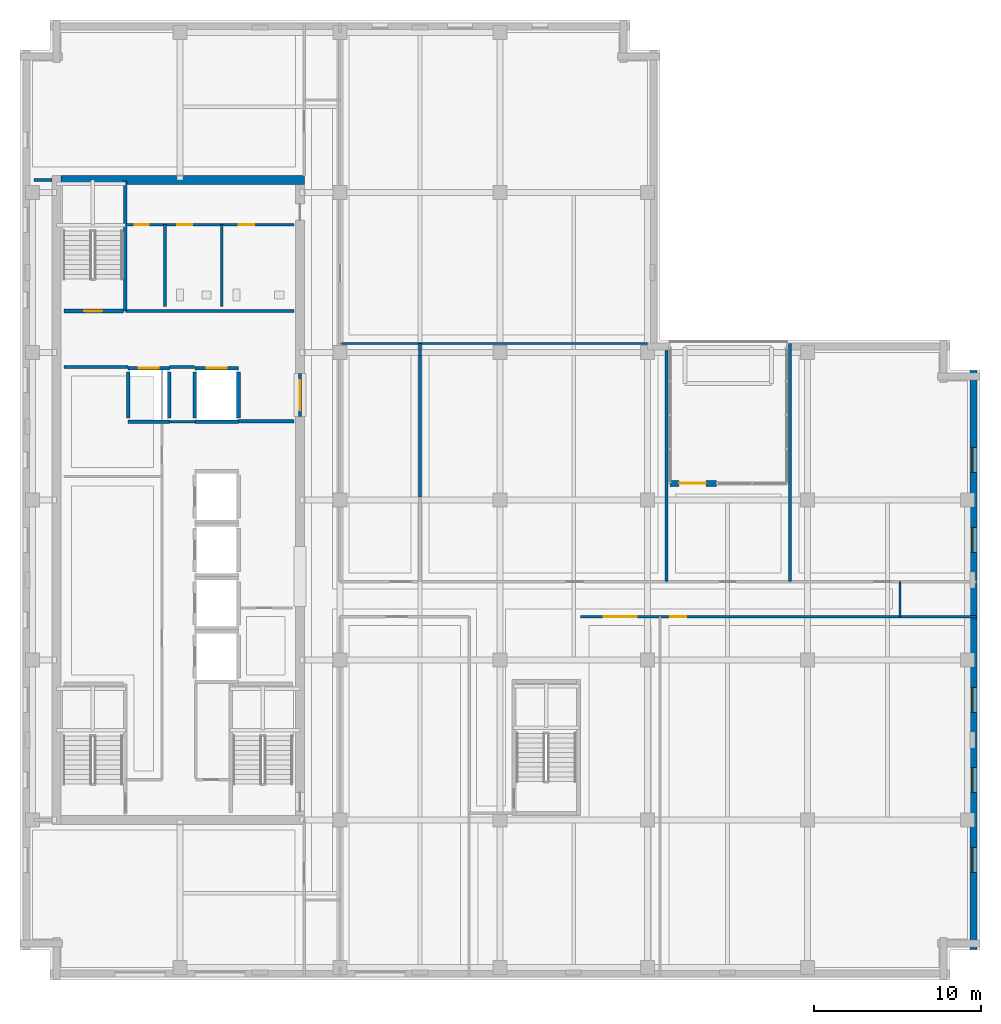
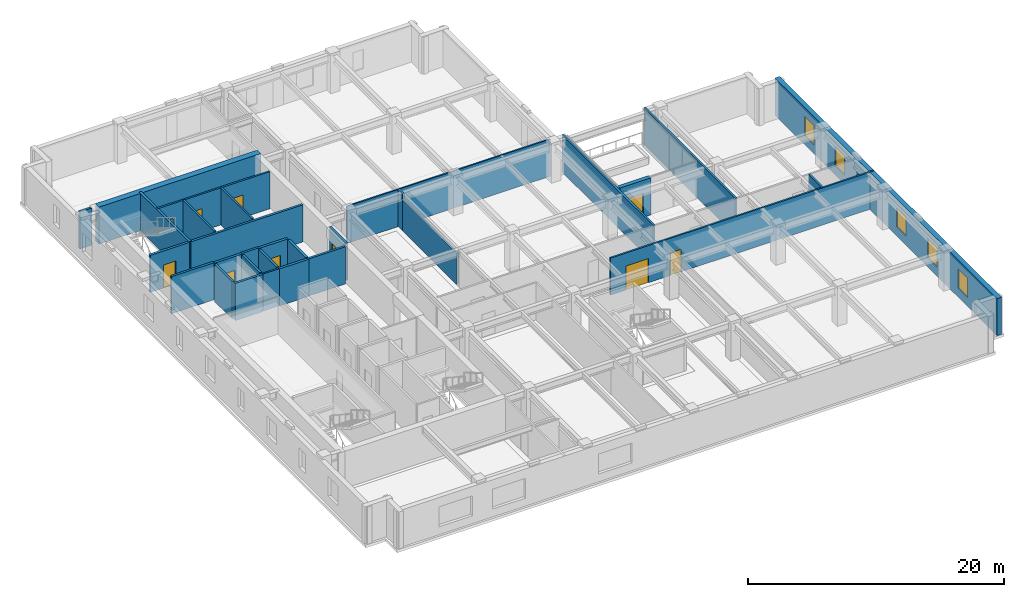
# One storey, part 5 of 14: 30 walls, 10 doors, 5 windows, 15 openings.
"""IFC4 building model written with IfcOpenShell, lengths in metres."""

from ifc_helpers import new_model, si_unit, direction, frame, frame_2d, origin, place, context, subcontext, project, spatial, rectangle, extrude, material, layer, layer_set, type_object, element, fill, save


model = new_model("IFC4")

# Units and contexts
model_context = context("Model", 3, precision=1e-05, world=origin(), true_north=direction((0.0, 1.0)))
body_context = subcontext(model_context, "Body", "Model", "MODEL_VIEW")
ifc_project = project(units=[si_unit("LENGTHUNIT", "METRE"), si_unit("AREAUNIT", "SQUARE_METRE"), si_unit("VOLUMEUNIT", "CUBIC_METRE"), si_unit("PLANEANGLEUNIT", "RADIAN"), si_unit("MASSUNIT", "GRAM", prefix="KILO")], contexts=[model_context])

# Site, building, storey
site_placement = place(None, origin())
site = spatial("IfcSite", under=ifc_project, at=site_placement, CompositionType="ELEMENT")
building_placement = place(site_placement, origin())
building = spatial("IfcBuilding", under=site, at=building_placement, Name="Norrvale University Quadrangle", CompositionType="ELEMENT")
storey_placement = place(building_placement, frame((0.0, 0.0, 221.800048828125)))
storey = spatial("IfcBuildingStorey", under=building, at=storey_placement, Name="L56", CompositionType="ELEMENT", Elevation=221.800048828125)

# Wall, openings, windows
ifc_material_1 = material(Name="Buff Norman Clay Brick Masonry", Category="masonry")
ifc_layer_1 = layer(ifc_material_1, 0.419921875, Name="Buff Norman Clay Brick Masonry")
ifc_layer_set_1 = layer_set([ifc_layer_1], Name="Buff Norman Clay Brick Masonry")
wall_type_1 = type_object("IfcWallType", Name="Wall Buff Brick 420", PredefinedType="SOLIDWALL", material=ifc_layer_set_1)
wall_1_placement = place(storey_placement, frame((57.2099609375, 1.840087890625, 0.0), z_axis=(0.0, 0.0, 1.0), x_axis=(0.0, 1.0, 0.0)))
wall_1 = element("IfcWall", 1, at=wall_1_placement, inside=storey, type_object=wall_type_1, Name="Exterior Brick Facade Wall L56-04.1", PredefinedType="SOLIDWALL", context=body_context, shape_type="SweptSolid", body=[
    extrude(rectangle(XDim=34.719970703125, YDim=0.419921875, at=frame_2d((17.35986328125, 0.0))), origin(), (0.0, 0.0, 1.0), 3.5400390625),
])
opening_1_placement = place(wall_1_placement, frame((4.610107421875, 0.0, 0.85009765625)))
opening_1 = element("IfcOpeningElement", 2, at=opening_1_placement, cuts=wall_1, Name="Opening W03", PredefinedType="OPENING", context=body_context, shape_type="SweptSolid", body=[
    extrude(rectangle(XDim=1.5, YDim=1.85009765625, at=frame_2d((0.75, 0.925048828125))), frame((0.0, 0.221923828125, 0.0), z_axis=(0.0, -1.0, 0.0), x_axis=(1.0, 0.0, 0.0)), (0.0, 0.0, 1.0), 0.44384765625),
])
opening_2_placement = place(wall_1_placement, frame((9.409912109375, 0.0, 0.85009765625)))
opening_2 = element("IfcOpeningElement", 3, at=opening_2_placement, cuts=wall_1, Name="Opening W03", PredefinedType="OPENING", context=body_context, shape_type="SweptSolid", body=[
    extrude(rectangle(XDim=1.5, YDim=1.85009765625, at=frame_2d((0.75, 0.925048828125))), frame((0.0, 0.221923828125, 0.0), z_axis=(0.0, -1.0, 0.0), x_axis=(1.0, 0.0, 0.0)), (0.0, 0.0, 1.0), 0.44384765625),
])
opening_3_placement = place(wall_1_placement, frame((14.2099609375, 0.0, 0.85009765625)))
opening_3 = element("IfcOpeningElement", 4, at=opening_3_placement, cuts=wall_1, Name="Opening W03", PredefinedType="OPENING", context=body_context, shape_type="SweptSolid", body=[
    extrude(rectangle(XDim=1.5, YDim=1.85009765625, at=frame_2d((0.75, 0.925048828125))), frame((0.0, 0.221923828125, 0.0), z_axis=(0.0, -1.0, 0.0), x_axis=(1.0, 0.0, 0.0)), (0.0, 0.0, 1.0), 0.44384765625),
])
opening_4_placement = place(wall_1_placement, frame((23.81005859375, 0.0, 0.85009765625)))
opening_4 = element("IfcOpeningElement", 5, at=opening_4_placement, cuts=wall_1, Name="Opening W03", PredefinedType="OPENING", context=body_context, shape_type="SweptSolid", body=[
    extrude(rectangle(XDim=1.5, YDim=1.85009765625, at=frame_2d((0.75, 0.925048828125))), frame((0.0, 0.221923828125, 0.0), z_axis=(0.0, -1.0, 0.0), x_axis=(1.0, 0.0, 0.0)), (0.0, 0.0, 1.0), 0.44384765625),
])
opening_5_placement = place(wall_1_placement, frame((28.610107421875, 0.0, 0.85009765625)))
opening_5 = element("IfcOpeningElement", 6, at=opening_5_placement, cuts=wall_1, Name="Opening W03", PredefinedType="OPENING", context=body_context, shape_type="SweptSolid", body=[
    extrude(rectangle(XDim=1.5, YDim=1.85009765625, at=frame_2d((0.75, 0.925048828125))), frame((0.0, 0.221923828125, 0.0), z_axis=(0.0, -1.0, 0.0), x_axis=(1.0, 0.0, 0.0)), (0.0, 0.0, 1.0), 0.44384765625),
])
ifc_material_2 = material(Name="Triple Low-E Argon Glazing", Category="glass")
window_type = type_object("IfcWindowType", Name="Window Studio 1500x2300", PartitioningType="DOUBLE_PANEL_VERTICAL", PredefinedType="WINDOW", material=ifc_material_2)
window_1_placement = place(opening_1_placement, origin())
window_1 = element("IfcWindow", 7, at=window_1_placement, inside=storey, type_object=window_type, Name="Window Studio 1500x2300 WIN-L56-E04-1-01", OverallHeight=1.85009765625, OverallWidth=1.5, PartitioningType="DOUBLE_PANEL_VERTICAL", PredefinedType="WINDOW", context=body_context, shape_type="SweptSolid", body=[
    extrude(rectangle(XDim=1.5, YDim=1.85009765625, at=frame_2d((0.75, 0.925048828125))), frame((0.0, 0.110107421875, 0.0), z_axis=(0.0, -1.0, 0.0), x_axis=(1.0, 0.0, 0.0)), (0.0, 0.0, 1.0), 0.06005859375),
])
fill(opening_1, window_1)
window_2_placement = place(opening_2_placement, origin())
window_2 = element("IfcWindow", 8, at=window_2_placement, inside=storey, type_object=window_type, Name="Window Studio 1500x2300 WIN-L56-E04-1-02", OverallHeight=1.85009765625, OverallWidth=1.5, PartitioningType="DOUBLE_PANEL_VERTICAL", PredefinedType="WINDOW", context=body_context, shape_type="SweptSolid", body=[
    extrude(rectangle(XDim=1.5, YDim=1.85009765625, at=frame_2d((0.75, 0.925048828125))), frame((0.0, 0.110107421875, 0.0), z_axis=(0.0, -1.0, 0.0), x_axis=(1.0, 0.0, 0.0)), (0.0, 0.0, 1.0), 0.06005859375),
])
fill(opening_2, window_2)
window_3_placement = place(opening_3_placement, origin())
window_3 = element("IfcWindow", 9, at=window_3_placement, inside=storey, type_object=window_type, Name="Window Studio 1500x2300 WIN-L56-E04-1-03", OverallHeight=1.85009765625, OverallWidth=1.5, PartitioningType="DOUBLE_PANEL_VERTICAL", PredefinedType="WINDOW", context=body_context, shape_type="SweptSolid", body=[
    extrude(rectangle(XDim=1.5, YDim=1.85009765625, at=frame_2d((0.75, 0.925048828125))), frame((0.0, 0.110107421875, 0.0), z_axis=(0.0, -1.0, 0.0), x_axis=(1.0, 0.0, 0.0)), (0.0, 0.0, 1.0), 0.06005859375),
])
fill(opening_3, window_3)
window_4_placement = place(opening_4_placement, origin())
window_4 = element("IfcWindow", 10, at=window_4_placement, inside=storey, type_object=window_type, Name="Window Studio 1500x2300 WIN-L56-E04-1-04", OverallHeight=1.85009765625, OverallWidth=1.5, PartitioningType="DOUBLE_PANEL_VERTICAL", PredefinedType="WINDOW", context=body_context, shape_type="SweptSolid", body=[
    extrude(rectangle(XDim=1.5, YDim=1.85009765625, at=frame_2d((0.75, 0.925048828125))), frame((0.0, 0.110107421875, 0.0), z_axis=(0.0, -1.0, 0.0), x_axis=(1.0, 0.0, 0.0)), (0.0, 0.0, 1.0), 0.06005859375),
])
fill(opening_4, window_4)
window_5_placement = place(opening_5_placement, origin())
window_5 = element("IfcWindow", 11, at=window_5_placement, inside=storey, type_object=window_type, Name="Window Studio 1500x2300 WIN-L56-E04-1-05", OverallHeight=1.85009765625, OverallWidth=1.5, PartitioningType="DOUBLE_PANEL_VERTICAL", PredefinedType="WINDOW", context=body_context, shape_type="SweptSolid", body=[
    extrude(rectangle(XDim=1.5, YDim=1.85009765625, at=frame_2d((0.75, 0.925048828125))), frame((0.0, 0.110107421875, 0.0), z_axis=(0.0, -1.0, 0.0), x_axis=(1.0, 0.0, 0.0)), (0.0, 0.0, 1.0), 0.06005859375),
])
fill(opening_5, window_5)

# Wall, opening, door
wall_2_placement = place(storey_placement, frame((39.0, 29.800048828125, 0.0), z_axis=(0.0, 0.0, 1.0), x_axis=(1.0, 0.0, 0.0)))
wall_2 = element("IfcWall", 12, at=wall_2_placement, inside=storey, type_object=wall_type_1, Name="Sky Garden Loggia Access Wall L56", PredefinedType="SOLIDWALL", context=body_context, shape_type="SweptSolid", body=[
    extrude(rectangle(XDim=2.800048828125, YDim=0.360107421875, at=frame_2d((1.39990234375, 0.0))), origin(), (0.0, 0.0, 1.0), 3.5400390625),
])
opening_6_placement = place(wall_2_placement, frame((0.550048828125, 0.0, 0.0)))
opening_6 = element("IfcOpeningElement", 13, at=opening_6_placement, cuts=wall_2, Name="Opening D09", PredefinedType="OPENING", context=body_context, shape_type="SweptSolid", body=[
    extrude(rectangle(XDim=1.60009765625, YDim=2.300048828125, at=frame_2d((0.800048828125, 1.14990234375))), frame((0.0, 0.192138671875, 0.0), z_axis=(0.0, -1.0, 0.0), x_axis=(1.0, 0.0, 0.0)), (0.0, 0.0, 1.0), 0.384033203125),
])
ifc_material_3 = material(Name="Thermally Broken Glazed Terrace Door")
door_type_1 = type_object("IfcDoorType", Name="Door Terrace 1600x2300", OperationType="DOUBLE_SWING_LEFT", PredefinedType="DOOR", material=ifc_material_3)
door_1_placement = place(opening_6_placement, origin())
door_1 = element("IfcDoor", 14, at=door_1_placement, inside=storey, type_object=door_type_1, Name="Door Terrace 1600x2300 DR-L56-SKYG", OperationType="DOUBLE_SWING_LEFT", OverallHeight=2.300048828125, OverallWidth=1.60009765625, PredefinedType="DOOR", context=body_context, shape_type="SweptSolid", body=[
    extrude(rectangle(XDim=1.60009765625, YDim=2.300048828125, at=frame_2d((0.800048828125, 1.14990234375))), frame((0.0, 0.02490234375, 0.0), z_axis=(0.0, -1.0, 0.0), x_axis=(1.0, 0.0, 0.0)), (0.0, 0.0, 1.0), 0.050048828125),
])
fill(opening_6, door_1)

# Walls
ifc_material_4 = material(Name="Concrete C60/75", Category="concrete")
ifc_layer_2 = layer(ifc_material_4, 0.550048828125, Name="Concrete C60/75")
ifc_layer_set_2 = layer_set([ifc_layer_2], Name="Concrete C60/75")
wall_type_2 = type_object("IfcWallType", Name="Wall Core 550", PredefinedType="SHEAR", material=ifc_layer_set_2)
wall_3_placement = place(storey_placement, frame((2.47509765625, 48.0, 0.0), z_axis=(0.0, 0.0, 1.0), x_axis=(1.0, 0.0, 0.0)))
element("IfcWall", 15, at=wall_3_placement, inside=storey, type_object=wall_type_2, Name="Tower Core Shear Wall L56-N", PredefinedType="SHEAR", context=body_context, shape_type="SweptSolid", body=[
    extrude(rectangle(XDim=14.599853515625, YDim=0.550048828125, at=frame_2d((7.2998046875, 0.0))), origin(), (0.0, 0.0, 1.0), 3.5400390625),
])
ifc_material_5 = material(Name="Standard Academic Gypsum Partition")
ifc_layer_3 = layer(ifc_material_5, 0.125, Name="Standard Academic Gypsum Partition")
ifc_layer_set_3 = layer_set([ifc_layer_3], Name="Standard Academic Gypsum Partition")
wall_type_3 = type_object("IfcWallType", Name="Wall Gypsum Academic 125", PredefinedType="PARTITIONING", material=ifc_layer_set_3)
wall_4_placement = place(storey_placement, frame((19.280029296875, 38.179931640625, 0.0), z_axis=(0.0, 0.0, 1.0), x_axis=(1.0, 0.0, 0.0)))
element("IfcWall", 16, at=wall_4_placement, inside=storey, type_object=wall_type_3, Name="Interior Partition WL-L56-ME-N", PredefinedType="PARTITIONING", context=body_context, shape_type="SweptSolid", body=[
    extrude(rectangle(XDim=18.369873046875, YDim=0.125, at=frame_2d((9.18505859375, 0.0))), origin(), (0.0, 0.0, 1.0), 3.5400390625),
])
ifc_material_6 = material(Name="Fire-Rated Gypsum Stud Partition")
ifc_layer_4 = layer(ifc_material_6, 0.14990234375, Name="Fire-Rated Gypsum Stud Partition")
ifc_layer_set_4 = layer_set([ifc_layer_4], Name="Fire-Rated Gypsum Stud Partition")
wall_type_4 = type_object("IfcWallType", Name="Wall Gypsum Corridor 150", PredefinedType="PARTITIONING", material=ifc_layer_set_4)
wall_5_placement = place(storey_placement, frame((8.965087890625, 33.489990234375, 0.0), z_axis=(0.0, 0.0, 1.0), x_axis=(1.0, 0.0, 0.0)))
element("IfcWall", 17, at=wall_5_placement, inside=storey, type_object=wall_type_4, Name="Interior Partition WL-L56-LL3", PredefinedType="PARTITIONING", context=body_context, shape_type="SweptSolid", body=[
    extrude(rectangle(XDim=1.52001953125, YDim=0.14990234375, at=frame_2d((0.760009765625, 0.0))), origin(), (0.0, 0.0, 1.0), 3.5400390625),
])
wall_6_placement = place(storey_placement, frame((52.800048828125, 21.800048828125, 0.0), z_axis=(0.0, 0.0, 1.0), x_axis=(0.0, 1.0, 0.0)))
element("IfcWall", 18, at=wall_6_placement, inside=storey, type_object=wall_type_4, Name="Interior Partition WL-L56-CESP-E", PredefinedType="PARTITIONING", context=body_context, shape_type="SweptSolid", body=[
    extrude(rectangle(XDim=2.099853515625, YDim=0.14990234375, at=frame_2d((1.0498046875, 0.0))), origin(), (0.0, 0.0, 1.0), 3.5400390625),
])

# Wall, openings, doors
wall_7_placement = place(storey_placement, frame((33.6201171875, 21.800048828125, 0.0), z_axis=(0.0, 0.0, 1.0), x_axis=(1.0, 0.0, 0.0)))
wall_7 = element("IfcWall", 19, at=wall_7_placement, inside=storey, type_object=wall_type_4, Name="Interior Partition WL-L56-SEW2", PredefinedType="PARTITIONING", context=body_context, shape_type="SweptSolid", body=[
    extrude(rectangle(XDim=23.759765625, YDim=0.14990234375, at=frame_2d((11.8798828125, 0.0))), origin(), (0.0, 0.0, 1.0), 3.5400390625),
])
opening_7_placement = place(wall_7_placement, frame((1.39990234375, 0.0, 0.0)))
opening_7 = element("IfcOpeningElement", 20, at=opening_7_placement, cuts=wall_7, Name="Opening D06", PredefinedType="OPENING", context=body_context, shape_type="SweptSolid", body=[
    extrude(rectangle(XDim=2.0, YDim=2.300048828125, at=frame_2d((1.0, 1.14990234375))), frame((0.0, 0.0869140625, 0.0), z_axis=(0.0, -1.0, 0.0), x_axis=(1.0, 0.0, 0.0)), (0.0, 0.0, 1.0), 0.173828125),
])
opening_8_placement = place(wall_7_placement, frame((5.39990234375, 0.0, 0.0)))
opening_8 = element("IfcOpeningElement", 21, at=opening_8_placement, cuts=wall_7, Name="Opening D07", PredefinedType="OPENING", context=body_context, shape_type="SweptSolid", body=[
    extrude(rectangle(XDim=0.949951171875, YDim=2.14990234375, at=frame_2d((0.47509765625, 1.074951171875))), frame((0.0, 0.0869140625, 0.0), z_axis=(0.0, -1.0, 0.0), x_axis=(1.0, 0.0, 0.0)), (0.0, 0.0, 1.0), 0.173828125),
])
ifc_material_7 = material(Name="Acoustic Oak Double Door", Category="wood")
door_type_2 = type_object("IfcDoorType", Name="Door Lecture Dbl 2000x2300", OperationType="DOUBLE_SWING_LEFT", PredefinedType="DOOR", material=ifc_material_7)
door_2_placement = place(opening_7_placement, origin())
door_2 = element("IfcDoor", 22, at=door_2_placement, inside=storey, type_object=door_type_2, Name="Door Lecture Dbl 2000x2300 DR-L56-SE2", OperationType="DOUBLE_SWING_LEFT", OverallHeight=2.300048828125, OverallWidth=2.0, PredefinedType="DOOR", context=body_context, shape_type="SweptSolid", body=[
    extrude(rectangle(XDim=2.0, YDim=2.300048828125, at=frame_2d((1.0, 1.14990234375))), frame((0.0, 0.02490234375, 0.0), z_axis=(0.0, -1.0, 0.0), x_axis=(1.0, 0.0, 0.0)), (0.0, 0.0, 1.0), 0.050048828125),
])
fill(opening_7, door_2)
ifc_material_8 = material(Name="Solid-Core Maple Door", Category="wood")
door_type_3 = type_object("IfcDoorType", Name="Door Office 950x2150", OperationType="NOTDEFINED", PredefinedType="DOOR", material=ifc_material_8)
door_3_placement = place(opening_8_placement, origin())
door_3 = element("IfcDoor", 23, at=door_3_placement, inside=storey, type_object=door_type_3, Name="Door Office 950x2150 DR-L56-SE3", OperationType="SINGLE_SWING_LEFT", OverallHeight=2.14990234375, OverallWidth=0.949951171875, PredefinedType="DOOR", context=body_context, shape_type="SweptSolid", body=[
    extrude(rectangle(XDim=0.949951171875, YDim=2.14990234375, at=frame_2d((0.47509765625, 1.074951171875))), frame((0.0, 0.02490234375, 0.0), z_axis=(0.0, -1.0, 0.0), x_axis=(1.0, 0.0, 0.0)), (0.0, 0.0, 1.0), 0.050048828125),
])
fill(opening_8, door_3)

# Walls
ifc_material_9 = material(Name="Acoustic Double-Stud Gypsum Partition")
ifc_layer_5 = layer(ifc_material_9, 0.179931640625, Name="Acoustic Double-Stud Gypsum Partition")
ifc_layer_set_5 = layer_set([ifc_layer_5], Name="Acoustic Double-Stud Gypsum Partition")
wall_type_5 = type_object("IfcWallType", Name="Wall Gypsum Lecture 180", PredefinedType="PARTITIONING", material=ifc_layer_set_5)
wall_8_placement = place(storey_placement, frame((24.0, 28.9775390625, 0.0), z_axis=(0.0, 0.0, 1.0), x_axis=(0.0, 1.0, 0.0)))
element("IfcWall", 24, at=wall_8_placement, inside=storey, type_object=wall_type_5, Name="Interior Partition WL-L56-MEP01-B3", PredefinedType="PARTITIONING", context=body_context, shape_type="SweptSolid", body=[
    extrude(rectangle(XDim=8.494873046875, YDim=0.179931640625, at=frame_2d((4.24755859375, 0.0))), origin(), (0.0, 0.0, 1.0), 2.995849609375),
])
wall_9_placement = place(storey_placement, frame((24.0, 37.472412109375, 0.0), z_axis=(0.0, 0.0, 1.0), x_axis=(0.0, 1.0, 0.0)))
element("IfcWall", 25, at=wall_9_placement, inside=storey, type_object=wall_type_5, Name="Interior Partition WL-L56-MEP01-B4", PredefinedType="PARTITIONING", context=body_context, shape_type="SweptSolid", body=[
    extrude(rectangle(XDim=0.70751953125, YDim=0.179931640625, at=frame_2d((0.353759765625, 0.0))), origin(), (0.0, 0.0, 1.0), 3.5400390625),
])
for number, where, z_axis, x_axis, name in (
    (26, (38.800048828125, 23.89990234375, 0.0), (0.0, 0.0, 1.0), (0.0, 1.0, 0.0), "Interior Partition WL-L56-MEP02"),
    (27, (46.199951171875, 23.89990234375, 0.0), (0.0, 0.0, 1.0), (0.0, 1.0, 0.0), "Interior Partition WL-L56-MEP03"),
):
    element("IfcWall", number, at=place(storey_placement, frame(where, z_axis=z_axis, x_axis=x_axis)), inside=storey, type_object=wall_type_5, Name=name, PredefinedType="PARTITIONING", context=body_context, shape_type="SweptSolid", body=[
        extrude(rectangle(XDim=14.280029296875, YDim=0.179931640625, at=frame_2d((7.14013671875, 0.0))), origin(), (0.0, 0.0, 1.0), 3.5400390625),
    ])

# Wall, openings, doors
ifc_material_10 = material(Name="Sanitary Chase Gypsum Partition")
ifc_layer_6 = layer(ifc_material_10, 0.1650390625, Name="Sanitary Chase Gypsum Partition")
ifc_layer_set_6 = layer_set([ifc_layer_6], Name="Sanitary Chase Gypsum Partition")
wall_type_6 = type_object("IfcWallType", Name="Wall Gypsum Sanitary 165", PredefinedType="PLUMBINGWALL", material=ifc_layer_set_6)
wall_10_placement = place(storey_placement, frame((6.320068359375, 45.320068359375, 0.0), z_axis=(0.0, 0.0, 1.0), x_axis=(1.0, 0.0, 0.0)))
wall_10 = element("IfcWall", 28, at=wall_10_placement, inside=storey, type_object=wall_type_6, Name="Interior Partition WL-L56-WCN", PredefinedType="PLUMBINGWALL", context=body_context, shape_type="SweptSolid", body=[
    extrude(rectangle(XDim=10.1298828125, YDim=0.1650390625, at=frame_2d((5.06494140625, 0.0))), origin(), (0.0, 0.0, 1.0), 3.5400390625),
])
opening_9_placement = place(wall_10_placement, frame((0.550048828125, 0.0, 0.0)))
opening_9 = element("IfcOpeningElement", 29, at=opening_9_placement, cuts=wall_10, Name="Opening D10", PredefinedType="OPENING", context=body_context, shape_type="SweptSolid", body=[
    extrude(rectangle(XDim=0.85009765625, YDim=2.10009765625, at=frame_2d((0.425048828125, 1.050048828125))), frame((0.0, 0.094482421875, 0.0), z_axis=(0.0, -1.0, 0.0), x_axis=(1.0, 0.0, 0.0)), (0.0, 0.0, 1.0), 0.18896484375),
])
opening_10_placement = place(wall_10_placement, frame((3.10009765625, 0.0, 0.0)))
opening_10 = element("IfcOpeningElement", 30, at=opening_10_placement, cuts=wall_10, Name="Opening D08", PredefinedType="OPENING", context=body_context, shape_type="SweptSolid", body=[
    extrude(rectangle(XDim=0.919921875, YDim=2.14990234375, at=frame_2d((0.4599609375, 1.074951171875))), frame((0.0, 0.094482421875, 0.0), z_axis=(0.0, -1.0, 0.0), x_axis=(1.0, 0.0, 0.0)), (0.0, 0.0, 1.0), 0.18896484375),
])
opening_11_placement = place(wall_10_placement, frame((6.800048828125, 0.0, 0.0)))
opening_11 = element("IfcOpeningElement", 31, at=opening_11_placement, cuts=wall_10, Name="Opening D08", PredefinedType="OPENING", context=body_context, shape_type="SweptSolid", body=[
    extrude(rectangle(XDim=0.919921875, YDim=2.14990234375, at=frame_2d((0.4599609375, 1.074951171875))), frame((0.0, 0.094482421875, 0.0), z_axis=(0.0, -1.0, 0.0), x_axis=(1.0, 0.0, 0.0)), (0.0, 0.0, 1.0), 0.18896484375),
])
ifc_material_11 = material(Name="Hollow Steel 350W Riser Fire Door", Category="steel")
door_type_4 = type_object("IfcDoorType", Name="Door Riser 850x2100", OperationType="NOTDEFINED", PredefinedType="DOOR", material=ifc_material_11)
door_4_placement = place(opening_9_placement, origin())
door_4 = element("IfcDoor", 32, at=door_4_placement, inside=storey, type_object=door_type_4, Name="Door Riser 850x2100 DR-L56-WC1", OperationType="SINGLE_SWING_LEFT", OverallHeight=2.10009765625, OverallWidth=0.85009765625, PredefinedType="DOOR", context=body_context, shape_type="SweptSolid", body=[
    extrude(rectangle(XDim=0.85009765625, YDim=2.10009765625, at=frame_2d((0.425048828125, 1.050048828125))), frame((0.0, 0.02490234375, 0.0), z_axis=(0.0, -1.0, 0.0), x_axis=(1.0, 0.0, 0.0)), (0.0, 0.0, 1.0), 0.050048828125),
])
fill(opening_9, door_4)
ifc_material_12 = material(Name="Laminate Washroom Door", Category="wood")
door_type_5 = type_object("IfcDoorType", Name="Door Washroom 920x2150", OperationType="NOTDEFINED", PredefinedType="DOOR", material=ifc_material_12)
door_5_placement = place(opening_10_placement, origin())
door_5 = element("IfcDoor", 33, at=door_5_placement, inside=storey, type_object=door_type_5, Name="Door Washroom 920x2150 DR-L56-WC2", OperationType="SINGLE_SWING_RIGHT", OverallHeight=2.14990234375, OverallWidth=0.919921875, PredefinedType="DOOR", context=body_context, shape_type="SweptSolid", body=[
    extrude(rectangle(XDim=0.919921875, YDim=2.14990234375, at=frame_2d((0.4599609375, 1.074951171875))), frame((0.0, 0.02490234375, 0.0), z_axis=(0.0, -1.0, 0.0), x_axis=(1.0, 0.0, 0.0)), (0.0, 0.0, 1.0), 0.050048828125),
])
fill(opening_10, door_5)
door_6_placement = place(opening_11_placement, origin())
door_6 = element("IfcDoor", 34, at=door_6_placement, inside=storey, type_object=door_type_5, Name="Door Washroom 920x2150 DR-L56-WC3", OperationType="SINGLE_SWING_LEFT", OverallHeight=2.14990234375, OverallWidth=0.919921875, PredefinedType="DOOR", context=body_context, shape_type="SweptSolid", body=[
    extrude(rectangle(XDim=0.919921875, YDim=2.14990234375, at=frame_2d((0.4599609375, 1.074951171875))), frame((0.0, 0.02490234375, 0.0), z_axis=(0.0, -1.0, 0.0), x_axis=(1.0, 0.0, 0.0)), (0.0, 0.0, 1.0), 0.050048828125),
])
fill(opening_11, door_6)

# Walls
for number, where, z_axis, x_axis, name in (
    (35, (8.699951171875, 40.39990234375, 0.0), (0.0, 0.0, 1.0), (0.0, 1.0, 0.0), "Interior Partition WL-L56-WCM1"),
    (36, (12.10009765625, 40.39990234375, 0.0), (0.0, 0.0, 1.0), (0.0, 1.0, 0.0), "Interior Partition WL-L56-WCM2"),
):
    element("IfcWall", number, at=place(storey_placement, frame(where, z_axis=z_axis, x_axis=x_axis)), inside=storey, type_object=wall_type_6, Name=name, PredefinedType="PLUMBINGWALL", context=body_context, shape_type="SweptSolid", body=[
        extrude(rectangle(XDim=4.920166015625, YDim=0.1650390625, at=frame_2d((2.4599609375, 0.0))), origin(), (0.0, 0.0, 1.0), 3.5400390625),
    ])
ifc_material_13 = material(Name="Concrete Blockwork 20 MPa Rated Wall", Category="masonry")
ifc_layer_7 = layer(ifc_material_13, 0.199951171875, Name="Concrete Blockwork 20 MPa Rated Wall")
ifc_layer_set_7 = layer_set([ifc_layer_7], Name="Concrete Blockwork 20 MPa Rated Wall")
wall_type_7 = type_object("IfcWallType", Name="Wall Lobby 200", PredefinedType="SOLIDWALL", material=ifc_layer_set_7)
wall_11_placement = place(storey_placement, frame((2.64990234375, 36.780029296875, 0.0), z_axis=(0.0, 0.0, 1.0), x_axis=(1.0, 0.0, 0.0)))
element("IfcWall", 37, at=wall_11_placement, inside=storey, type_object=wall_type_7, Name="Interior Partition WL-L56-FF1", PredefinedType="SOLIDWALL", context=body_context, shape_type="SweptSolid", body=[
    extrude(rectangle(XDim=3.830078125, YDim=0.199951171875, at=frame_2d((1.9150390625, 0.0))), origin(), (0.0, 0.0, 1.0), 3.5400390625),
])
wall_12_placement = place(storey_placement, frame((8.969970703125, 36.780029296875, 0.0), z_axis=(0.0, 0.0, 1.0), x_axis=(1.0, 0.0, 0.0)))
element("IfcWall", 38, at=wall_12_placement, inside=storey, type_object=wall_type_7, Name="Interior Partition WL-L56-FF2", PredefinedType="SOLIDWALL", context=body_context, shape_type="SweptSolid", body=[
    extrude(rectangle(XDim=1.510009765625, YDim=0.199951171875, at=frame_2d((0.7548828125, 0.0))), origin(), (0.0, 0.0, 1.0), 3.5400390625),
])
wall_13_placement = place(storey_placement, frame((13.1201171875, 33.52001953125, 0.0), z_axis=(0.0, 0.0, 1.0), x_axis=(1.0, 0.0, 0.0)))
element("IfcWall", 39, at=wall_13_placement, inside=storey, type_object=wall_type_7, Name="Interior Partition WL-L56-FF3", PredefinedType="SOLIDWALL", context=body_context, shape_type="SweptSolid", body=[
    extrude(rectangle(XDim=3.329833984375, YDim=0.199951171875, at=frame_2d((1.6650390625, 0.0))), origin(), (0.0, 0.0, 1.0), 3.5400390625),
])
wall_14_placement = place(storey_placement, frame((6.320068359375, 40.139892578125, 0.0), z_axis=(0.0, 0.0, 1.0), x_axis=(1.0, 0.0, 0.0)))
element("IfcWall", 40, at=wall_14_placement, inside=storey, type_object=wall_type_7, Name="Interior Partition WL-L56-FF4", PredefinedType="SOLIDWALL", context=body_context, shape_type="SweptSolid", body=[
    extrude(rectangle(XDim=10.1298828125, YDim=0.199951171875, at=frame_2d((5.06494140625, 0.0))), origin(), (0.0, 0.0, 1.0), 3.5400390625),
])

# Wall, opening, door
wall_15_placement = place(storey_placement, frame((16.800048828125, 33.800048828125, 0.0), z_axis=(0.0, 0.0, 1.0), x_axis=(0.0, 1.0, 0.0)))
wall_15 = element("IfcWall", 41, at=wall_15_placement, inside=storey, type_object=wall_type_7, Name="Interior Partition WL-L56-FFP", PredefinedType="SOLIDWALL", context=body_context, shape_type="SweptSolid", body=[
    extrude(rectangle(XDim=2.599853515625, YDim=0.199951171875, at=frame_2d((1.2998046875, 0.0))), origin(), (0.0, 0.0, 1.0), 3.5400390625),
])
opening_12_placement = place(wall_15_placement, frame((0.39990234375, 0.0, 0.0)))
opening_12 = element("IfcOpeningElement", 42, at=opening_12_placement, cuts=wall_15, Name="Opening D03", PredefinedType="OPENING", context=body_context, shape_type="SweptSolid", body=[
    extrude(rectangle(XDim=1.800048828125, YDim=2.199951171875, at=frame_2d((0.89990234375, 1.10009765625))), frame((0.0, 0.112060546875, 0.0), z_axis=(0.0, -1.0, 0.0), x_axis=(1.0, 0.0, 0.0)), (0.0, 0.0, 1.0), 0.223876953125),
])
ifc_material_14 = material(Name="Hollow Steel 350W Fire Door", Category="steel")
door_type_6 = type_object("IfcDoorType", Name="Door Fire Lobby 1800x2200", OperationType="DOUBLE_DOOR_SINGLE_SWING", PredefinedType="DOOR", material=ifc_material_14)
door_7_placement = place(opening_12_placement, origin())
door_7 = element("IfcDoor", 43, at=door_7_placement, inside=storey, type_object=door_type_6, Name="Door Fire Lobby 1800x2200 DR-L56-FFP", OperationType="DOUBLE_DOOR_SINGLE_SWING", OverallHeight=2.199951171875, OverallWidth=1.800048828125, PredefinedType="DOOR", context=body_context, shape_type="SweptSolid", body=[
    extrude(rectangle(XDim=1.800048828125, YDim=2.199951171875, at=frame_2d((0.89990234375, 1.10009765625))), frame((0.0, 0.02490234375, 0.0), z_axis=(0.0, -1.0, 0.0), x_axis=(1.0, 0.0, 0.0)), (0.0, 0.0, 1.0), 0.050048828125),
])
fill(opening_12, door_7)

# Wall
wall_16_placement = place(storey_placement, frame((0.85009765625, 48.0, 0.0), z_axis=(0.0, 0.0, 1.0), x_axis=(1.0, 0.0, 0.0)))
element("IfcWall", 44, at=wall_16_placement, inside=storey, type_object=wall_type_7, Name="Interior Partition WL-L56-CWRET-N", PredefinedType="SOLIDWALL", context=body_context, shape_type="SweptSolid", body=[
    extrude(rectangle(XDim=1.06982421875, YDim=0.199951171875, at=frame_2d((0.534912109375, 0.0))), origin(), (0.0, 0.0, 1.0), 3.5400390625),
])

# Wall, opening, door
ifc_material_15 = material(Name="Concrete Blockwork 20 MPa Fire Shaft", Category="masonry")
ifc_layer_8 = layer(ifc_material_15, 0.219970703125, Name="Concrete Blockwork 20 MPa Fire Shaft")
ifc_layer_set_8 = layer_set([ifc_layer_8], Name="Concrete Blockwork 20 MPa Fire Shaft")
wall_type_8 = type_object("IfcWallType", Name="Wall Shaft 220", PredefinedType="SOLIDWALL", material=ifc_layer_set_8)
wall_17_placement = place(storey_placement, frame((2.64990234375, 40.139892578125, 0.0), z_axis=(0.0, 0.0, 1.0), x_axis=(1.0, 0.0, 0.0)))
wall_17 = element("IfcWall", 45, at=wall_17_placement, inside=storey, type_object=wall_type_8, Name="Stair ST-02 South Shaft Wall L56", PredefinedType="SOLIDWALL", context=body_context, shape_type="SweptSolid", body=[
    extrude(rectangle(XDim=3.550048828125, YDim=0.219970703125, at=frame_2d((1.77490234375, 0.0))), origin(), (0.0, 0.0, 1.0), 3.5400390625),
])
opening_13_placement = place(wall_17_placement, frame((1.199951171875, 0.0, 0.0)))
opening_13 = element("IfcOpeningElement", 46, at=opening_13_placement, cuts=wall_17, Name="Opening D02", PredefinedType="OPENING", context=body_context, shape_type="SweptSolid", body=[
    extrude(rectangle(XDim=1.10009765625, YDim=2.199951171875, at=frame_2d((0.550048828125, 1.10009765625))), frame((0.0, 0.1220703125, 0.0), z_axis=(0.0, -1.0, 0.0), x_axis=(1.0, 0.0, 0.0)), (0.0, 0.0, 1.0), 0.243896484375),
])
door_type_7 = type_object("IfcDoorType", Name="Door Stair Exit 1100x2200", OperationType="NOTDEFINED", PredefinedType="DOOR", material=ifc_material_14)
door_8_placement = place(opening_13_placement, origin())
door_8 = element("IfcDoor", 47, at=door_8_placement, inside=storey, type_object=door_type_7, Name="Door Stair Exit 1100x2200 DR-L56-ST02", OperationType="SINGLE_SWING_LEFT", OverallHeight=2.199951171875, OverallWidth=1.10009765625, PredefinedType="DOOR", context=body_context, shape_type="SweptSolid", body=[
    extrude(rectangle(XDim=1.10009765625, YDim=2.199951171875, at=frame_2d((0.550048828125, 1.10009765625))), frame((0.0, 0.02490234375, 0.0), z_axis=(0.0, -1.0, 0.0), x_axis=(1.0, 0.0, 0.0)), (0.0, 0.0, 1.0), 0.050048828125),
])
fill(opening_13, door_8)

# Walls
wall_18_placement = place(storey_placement, frame((6.31005859375, 40.139892578125, 0.0), z_axis=(0.0, 0.0, 1.0), x_axis=(0.0, 1.0, 0.0)))
element("IfcWall", 48, at=wall_18_placement, inside=storey, type_object=wall_type_8, Name="Stair ST-02 East Shaft Wall L56", PredefinedType="SOLIDWALL", context=body_context, shape_type="SweptSolid", body=[
    extrude(rectangle(XDim=7.81005859375, YDim=0.219970703125, at=frame_2d((3.905029296875, 0.0))), origin(), (0.0, 0.0, 1.0), 3.5400390625),
])
for number, where, z_axis, x_axis, name in (
    (49, (6.489990234375, 33.7099609375, 0.0), (0.0, 0.0, 1.0), (0.0, 1.0, 0.0), "Hoistway FFL-01 West Wall L56"),
    (50, (8.9599609375, 33.7099609375, 0.0), (0.0, 0.0, 1.0), (0.0, 1.0, 0.0), "Hoistway FFL-01 East Wall L56"),
):
    element("IfcWall", number, at=place(storey_placement, frame(where, z_axis=z_axis, x_axis=x_axis)), inside=storey, type_object=wall_type_8, Name=name, PredefinedType="SOLIDWALL", context=body_context, shape_type="SweptSolid", body=[
        extrude(rectangle(XDim=2.780029296875, YDim=0.219970703125, at=frame_2d((1.39013671875, 0.0))), origin(), (0.0, 0.0, 1.0), 3.5400390625),
    ])
wall_19_placement = place(storey_placement, frame((6.489990234375, 33.489990234375, 0.0), z_axis=(0.0, 0.0, 1.0), x_axis=(1.0, 0.0, 0.0)))
element("IfcWall", 51, at=wall_19_placement, inside=storey, type_object=wall_type_8, Name="Hoistway FFL-01 South Wall L56", PredefinedType="SOLIDWALL", context=body_context, shape_type="SweptSolid", body=[
    extrude(rectangle(XDim=2.469970703125, YDim=0.219970703125, at=frame_2d((1.23486328125, 0.0))), origin(), (0.0, 0.0, 1.0), 3.5400390625),
])

# Wall, opening, door
wall_20_placement = place(storey_placement, frame((6.489990234375, 36.7099609375, 0.0), z_axis=(0.0, 0.0, 1.0), x_axis=(1.0, 0.0, 0.0)))
wall_20 = element("IfcWall", 52, at=wall_20_placement, inside=storey, type_object=wall_type_8, Name="Hoistway FFL-01 North Wall L56", PredefinedType="SOLIDWALL", context=body_context, shape_type="SweptSolid", body=[
    extrude(rectangle(XDim=2.469970703125, YDim=0.219970703125, at=frame_2d((1.23486328125, 0.0))), origin(), (0.0, 0.0, 1.0), 3.5400390625),
])
opening_14_placement = place(wall_20_placement, frame((0.635009765625, 0.0, 0.0)))
opening_14 = element("IfcOpeningElement", 53, at=opening_14_placement, cuts=wall_20, Name="Opening LD2", PredefinedType="OPENING", context=body_context, shape_type="SweptSolid", body=[
    extrude(rectangle(XDim=1.199951171875, YDim=2.199951171875, at=frame_2d((0.60009765625, 1.10009765625))), frame((0.0, 0.1220703125, 0.0), z_axis=(0.0, -1.0, 0.0), x_axis=(1.0, 0.0, 0.0)), (0.0, 0.0, 1.0), 0.243896484375),
])
ifc_material_16 = material(Name="Stainless Steel 316L Firefighter Lift Door", Category="steel")
door_type_8 = type_object("IfcDoorType", Name="Door Fire Lift 1200x2200", OperationType="DOUBLE_DOOR_SLIDING", PredefinedType="DOOR", material=ifc_material_16)
door_9_placement = place(opening_14_placement, origin())
door_9 = element("IfcDoor", 54, at=door_9_placement, inside=storey, type_object=door_type_8, Name="Elevator Landing Door DR-L56-FFL-01", OperationType="DOUBLE_DOOR_SLIDING", OverallHeight=2.199951171875, OverallWidth=1.199951171875, PredefinedType="DOOR", context=body_context, shape_type="SweptSolid", body=[
    extrude(rectangle(XDim=1.199951171875, YDim=2.199951171875, at=frame_2d((0.60009765625, 1.10009765625))), frame((0.0, 0.02490234375, 0.0), z_axis=(0.0, -1.0, 0.0), x_axis=(1.0, 0.0, 0.0)), (0.0, 0.0, 1.0), 0.050048828125),
])
fill(opening_14, door_9)

# Walls
for number, where, z_axis, x_axis, name in (
    (55, (10.489990234375, 33.7099609375, 0.0), (0.0, 0.0, 1.0), (0.0, 1.0, 0.0), "Hoistway FFL-02 West Wall L56"),
    (56, (13.110107421875, 33.7099609375, 0.0), (0.0, 0.0, 1.0), (0.0, 1.0, 0.0), "Hoistway FFL-02 East Wall L56"),
):
    element("IfcWall", number, at=place(storey_placement, frame(where, z_axis=z_axis, x_axis=x_axis)), inside=storey, type_object=wall_type_8, Name=name, PredefinedType="SOLIDWALL", context=body_context, shape_type="SweptSolid", body=[
        extrude(rectangle(XDim=2.780029296875, YDim=0.219970703125, at=frame_2d((1.39013671875, 0.0))), origin(), (0.0, 0.0, 1.0), 3.5400390625),
    ])
wall_21_placement = place(storey_placement, frame((10.489990234375, 33.489990234375, 0.0), z_axis=(0.0, 0.0, 1.0), x_axis=(1.0, 0.0, 0.0)))
element("IfcWall", 57, at=wall_21_placement, inside=storey, type_object=wall_type_8, Name="Hoistway FFL-02 South Wall L56", PredefinedType="SOLIDWALL", context=body_context, shape_type="SweptSolid", body=[
    extrude(rectangle(XDim=2.6201171875, YDim=0.219970703125, at=frame_2d((1.31005859375, 0.0))), origin(), (0.0, 0.0, 1.0), 3.5400390625),
])

# Wall, opening, door
wall_22_placement = place(storey_placement, frame((10.489990234375, 36.7099609375, 0.0), z_axis=(0.0, 0.0, 1.0), x_axis=(1.0, 0.0, 0.0)))
wall_22 = element("IfcWall", 58, at=wall_22_placement, inside=storey, type_object=wall_type_8, Name="Hoistway FFL-02 North Wall L56", PredefinedType="SOLIDWALL", context=body_context, shape_type="SweptSolid", body=[
    extrude(rectangle(XDim=2.6201171875, YDim=0.219970703125, at=frame_2d((1.31005859375, 0.0))), origin(), (0.0, 0.0, 1.0), 3.5400390625),
])
opening_15_placement = place(wall_22_placement, frame((0.7099609375, 0.0, 0.0)))
opening_15 = element("IfcOpeningElement", 59, at=opening_15_placement, cuts=wall_22, Name="Opening LD2", PredefinedType="OPENING", context=body_context, shape_type="SweptSolid", body=[
    extrude(rectangle(XDim=1.199951171875, YDim=2.199951171875, at=frame_2d((0.60009765625, 1.10009765625))), frame((0.0, 0.1220703125, 0.0), z_axis=(0.0, -1.0, 0.0), x_axis=(1.0, 0.0, 0.0)), (0.0, 0.0, 1.0), 0.243896484375),
])
door_10_placement = place(opening_15_placement, origin())
door_10 = element("IfcDoor", 60, at=door_10_placement, inside=storey, type_object=door_type_8, Name="Elevator Landing Door DR-L56-FFL-02", OperationType="DOUBLE_DOOR_SLIDING", OverallHeight=2.199951171875, OverallWidth=1.199951171875, PredefinedType="DOOR", context=body_context, shape_type="SweptSolid", body=[
    extrude(rectangle(XDim=1.199951171875, YDim=2.199951171875, at=frame_2d((0.60009765625, 1.10009765625))), frame((0.0, 0.02490234375, 0.0), z_axis=(0.0, -1.0, 0.0), x_axis=(1.0, 0.0, 0.0)), (0.0, 0.0, 1.0), 0.050048828125),
])
fill(opening_15, door_10)

save(model, "model.ifc")
